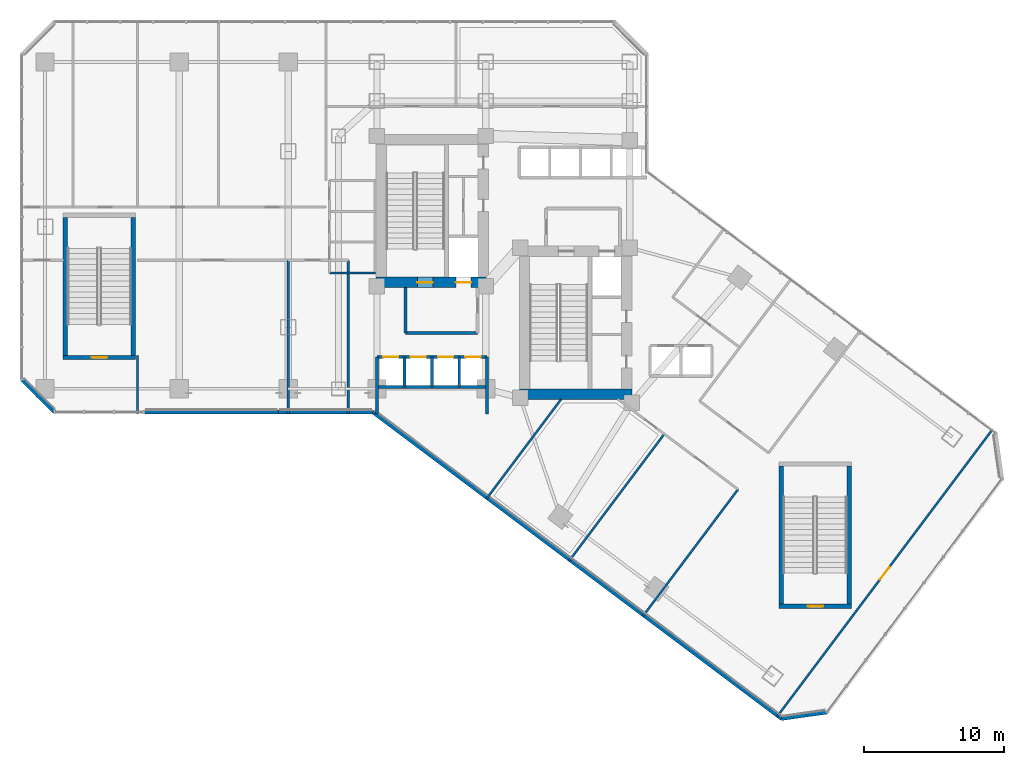
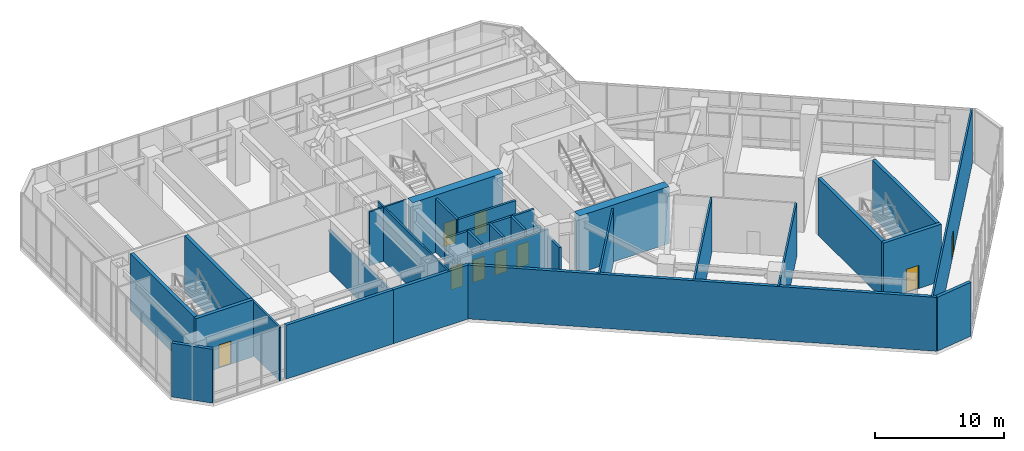
# One storey, part 27 of 35: 30 walls, 9 doors, 9 openings.
"""IFC4 building model written with IfcOpenShell, lengths in metres."""

from ifc_helpers import new_model, si_unit, direction, frame, frame_2d, origin, place, context, subcontext, project, spatial, rectangle, extrude, material, layer, layer_set, type_object, element, fill, save


model = new_model("IFC4")

# Units and contexts
model_context = context("Model", 3, precision=1e-05, world=origin(), true_north=direction((0.0, 1.0)))
body_context = subcontext(model_context, "Body", "Model", "MODEL_VIEW")
ifc_project = project(units=[si_unit("LENGTHUNIT", "METRE"), si_unit("AREAUNIT", "SQUARE_METRE"), si_unit("VOLUMEUNIT", "CUBIC_METRE"), si_unit("PLANEANGLEUNIT", "RADIAN"), si_unit("MASSUNIT", "GRAM", prefix="KILO")], contexts=[model_context])

# Site, building, storey
site_placement = place(None, origin())
site = spatial("IfcSite", under=ifc_project, at=site_placement, CompositionType="ELEMENT")
building_placement = place(site_placement, origin())
building = spatial("IfcBuilding", under=site, at=building_placement, Name="Hatsunagi Terrace Concourse", CompositionType="ELEMENT")
storey_placement = place(building_placement, frame((0.0, 0.0, 16.199951171875)))
storey = spatial("IfcBuildingStorey", under=building, at=storey_placement, Name="L04", CompositionType="ELEMENT", Elevation=16.199951171875)

# Wall, openings, doors
ifc_material_1 = material(Name="Concrete Fc60", Category="concrete")
ifc_layer_1 = layer(ifc_material_1, 0.75)
ifc_layer_set_1 = layer_set([ifc_layer_1], Name="CoreShearWall_Fc60_750")
wall_type_1 = type_object("IfcWallType", Name="CoreShearWall_Fc60_750", PredefinedType="SHEAR", material=ifc_layer_set_1)
wall_1_placement = place(storey_placement, frame((25.469970703125, 32.81494140625, 0.0), z_axis=(0.0, 0.0, 1.0), x_axis=(1.0, 0.0, 0.0)))
wall_1 = element("IfcWall", 1, at=wall_1_placement, inside=storey, type_object=wall_type_1, Name="Core A Shear Wall S L04", PredefinedType="SHEAR", context=body_context, shape_type="SweptSolid", body=[
    extrude(rectangle(XDim=8.080078125, YDim=0.75, at=frame_2d((4.0400390625, 0.0))), origin(), (0.0, 0.0, 1.0), 5.400146484375),
])
opening_1_placement = place(wall_1_placement, frame((2.97998046875, 0.0, 0.0)))
opening_1 = element("IfcOpeningElement", 2, at=opening_1_placement, cuts=wall_1, Name="Opening DR-110S", PredefinedType="OPENING", context=body_context, shape_type="SweptSolid", body=[
    extrude(rectangle(XDim=1.10009765625, YDim=2.199951171875, at=frame_2d((0.550048828125, 1.10009765625))), frame((0.0, 0.385009765625, 0.0), z_axis=(0.0, -1.0, 0.0), x_axis=(1.0, 0.0, 0.0)), (0.0, 0.0, 1.0), 0.77001953125),
])
opening_2_placement = place(wall_1_placement, frame((5.72998046875, 0.0, 0.0)))
opening_2 = element("IfcOpeningElement", 3, at=opening_2_placement, cuts=wall_1, Name="Opening LD-01", PredefinedType="OPENING", context=body_context, shape_type="SweptSolid", body=[
    extrude(rectangle(XDim=1.10009765625, YDim=2.14990234375, at=frame_2d((0.550048828125, 1.074951171875))), frame((0.0, 0.385009765625, 0.0), z_axis=(0.0, -1.0, 0.0), x_axis=(1.0, 0.0, 0.0)), (0.0, 0.0, 1.0), 0.77001953125),
])
ifc_material_2 = material(Name="Stainless steel", Category="steel")
door_type_1 = type_object("IfcDoorType", Name="LiftLandingDoor_LD01", OperationType="SLIDING_TO_LEFT", PredefinedType="USERDEFINED", material=ifc_material_2)
door_1_placement = place(opening_2_placement, origin())
door_1 = element("IfcDoor", 4, at=door_1_placement, inside=storey, type_object=door_type_1, Name="Lift landing door FF-01 L04", ObjectType="SLIDING_LANDING_DOOR", OperationType="SLIDING_TO_LEFT", OverallHeight=2.14990234375, OverallWidth=1.10009765625, PredefinedType="USERDEFINED", context=body_context, shape_type="SweptSolid", body=[
    extrude(rectangle(XDim=1.10009765625, YDim=2.14990234375, at=frame_2d((0.550048828125, 1.074951171875))), frame((0.0, 0.02490234375, 0.0), z_axis=(0.0, -1.0, 0.0), x_axis=(1.0, 0.0, 0.0)), (0.0, 0.0, 1.0), 0.050048828125),
])
fill(opening_2, door_1)
ifc_material_3 = material(Name="Painted steel", Category="steel")
door_type_2 = type_object("IfcDoorType", Name="StairFireDoor_EI60_1100", OperationType="NOTDEFINED", PredefinedType="DOOR", material=ifc_material_3)
door_2_placement = place(opening_1_placement, origin())
door_2 = element("IfcDoor", 5, at=door_2_placement, inside=storey, type_object=door_type_2, Name="Stair ST-A Exit Door L04", OperationType="SINGLE_SWING_LEFT", OverallHeight=2.199951171875, OverallWidth=1.10009765625, PredefinedType="DOOR", context=body_context, shape_type="SweptSolid", body=[
    extrude(rectangle(XDim=1.10009765625, YDim=2.199951171875, at=frame_2d((0.550048828125, 1.10009765625))), frame((0.0, 0.02490234375, 0.0), z_axis=(0.0, -1.0, 0.0), x_axis=(1.0, 0.0, 0.0)), (0.0, 0.0, 1.0), 0.050048828125),
])
fill(opening_1, door_2)

# Wall
wall_2_placement = place(storey_placement, frame((35.739990234375, 24.81494140625, 0.0), z_axis=(0.0, 0.0, 1.0), x_axis=(1.0, 0.0, 0.0)))
element("IfcWall", 6, at=wall_2_placement, inside=storey, type_object=wall_type_1, Name="Core B Shear Wall S L04", PredefinedType="SHEAR", context=body_context, shape_type="SweptSolid", body=[
    extrude(rectangle(XDim=8.06005859375, YDim=0.75, at=frame_2d((4.030029296875, 0.0))), origin(), (0.0, 0.0, 1.0), 5.400146484375),
])

# Wall, opening, door
ifc_material_4 = material(Name="Concrete Fc48", Category="concrete")
ifc_layer_2 = layer(ifc_material_4, 0.300048828125)
ifc_layer_set_2 = layer_set([ifc_layer_2], Name="CoreStairDivider_Fc48_300")
wall_type_2 = type_object("IfcWallType", Name="CoreStairDivider_Fc48_300", PredefinedType="SHEAR", material=ifc_layer_set_2)
wall_3_placement = place(storey_placement, frame((3.090087890625, 27.43994140625, 0.0), z_axis=(0.0, 0.0, 1.0), x_axis=(1.0, 0.0, 0.0)))
wall_3 = element("IfcWall", 7, at=wall_3_placement, inside=storey, type_object=wall_type_2, Name="Podium Stair P1 Shear Wall S L04", PredefinedType="SHEAR", context=body_context, shape_type="SweptSolid", body=[
    extrude(rectangle(XDim=5.169921875, YDim=0.300048828125, at=frame_2d((2.5849609375, 0.0))), origin(), (0.0, 0.0, 1.0), 5.400146484375),
])
opening_3_placement = place(wall_3_placement, frame((2.06005859375, 0.0, 0.0)))
opening_3 = element("IfcOpeningElement", 8, at=opening_3_placement, cuts=wall_3, Name="Opening DR-110S", PredefinedType="OPENING", context=body_context, shape_type="SweptSolid", body=[
    extrude(rectangle(XDim=1.10009765625, YDim=2.199951171875, at=frame_2d((0.550048828125, 1.10009765625))), frame((0.0, 0.159912109375, 0.0), z_axis=(0.0, -1.0, 0.0), x_axis=(1.0, 0.0, 0.0)), (0.0, 0.0, 1.0), 0.320068359375),
])
door_3_placement = place(opening_3_placement, origin())
door_3 = element("IfcDoor", 9, at=door_3_placement, inside=storey, type_object=door_type_2, Name="Stair ST-P1 Exit Door L04", OperationType="SINGLE_SWING_LEFT", OverallHeight=2.199951171875, OverallWidth=1.10009765625, PredefinedType="DOOR", context=body_context, shape_type="SweptSolid", body=[
    extrude(rectangle(XDim=1.10009765625, YDim=2.199951171875, at=frame_2d((0.550048828125, 1.10009765625))), frame((0.0, 0.02490234375, 0.0), z_axis=(0.0, -1.0, 0.0), x_axis=(1.0, 0.0, 0.0)), (0.0, 0.0, 1.0), 0.050048828125),
])
fill(opening_3, door_3)

# Walls
for number, where, z_axis, x_axis, name in (
    (10, (3.239990234375, 27.590087890625, 0.0), (0.0, 0.0, 1.0), (0.0, 1.0, 0.0), "Podium Stair P1 Shear Wall W L04"),
    (11, (8.110107421875, 27.590087890625, 0.0), (0.0, 0.0, 1.0), (0.0, 1.0, 0.0), "Podium Stair P1 Shear Wall E L04"),
):
    element("IfcWall", number, at=place(storey_placement, frame(where, z_axis=z_axis, x_axis=x_axis)), inside=storey, type_object=wall_type_2, Name=name, PredefinedType="SHEAR", context=body_context, shape_type="SweptSolid", body=[
        extrude(rectangle(XDim=9.8798828125, YDim=0.300048828125, at=frame_2d((4.93994140625, 0.0))), origin(), (0.0, 0.0, 1.0), 5.400146484375),
    ])

# Wall, opening, door
wall_4_placement = place(storey_placement, frame((54.340087890625, 9.639892578125, 0.0), z_axis=(0.0, 0.0, 1.0), x_axis=(1.0, 0.0, 0.0)))
wall_4 = element("IfcWall", 12, at=wall_4_placement, inside=storey, type_object=wall_type_2, Name="Podium Stair P2 Shear Wall S L04", PredefinedType="SHEAR", context=body_context, shape_type="SweptSolid", body=[
    extrude(rectangle(XDim=5.169921875, YDim=0.300048828125, at=frame_2d((2.5849609375, 0.0))), origin(), (0.0, 0.0, 1.0), 5.400146484375),
])
opening_4_placement = place(wall_4_placement, frame((2.06005859375, 0.0, 0.0)))
opening_4 = element("IfcOpeningElement", 13, at=opening_4_placement, cuts=wall_4, Name="Opening DR-110S", PredefinedType="OPENING", context=body_context, shape_type="SweptSolid", body=[
    extrude(rectangle(XDim=1.10009765625, YDim=2.199951171875, at=frame_2d((0.550048828125, 1.10009765625))), frame((0.0, 0.159912109375, 0.0), z_axis=(0.0, -1.0, 0.0), x_axis=(1.0, 0.0, 0.0)), (0.0, 0.0, 1.0), 0.320068359375),
])
door_4_placement = place(opening_4_placement, origin())
door_4 = element("IfcDoor", 14, at=door_4_placement, inside=storey, type_object=door_type_2, Name="Stair ST-P2 Exit Door L04", OperationType="SINGLE_SWING_RIGHT", OverallHeight=2.199951171875, OverallWidth=1.10009765625, PredefinedType="DOOR", context=body_context, shape_type="SweptSolid", body=[
    extrude(rectangle(XDim=1.10009765625, YDim=2.199951171875, at=frame_2d((0.550048828125, 1.10009765625))), frame((0.0, 0.02490234375, 0.0), z_axis=(0.0, -1.0, 0.0), x_axis=(1.0, 0.0, 0.0)), (0.0, 0.0, 1.0), 0.050048828125),
])
fill(opening_4, door_4)

# Walls
for number, where, z_axis, x_axis, name in (
    (15, (54.489990234375, 9.7900390625, 0.0), (0.0, 0.0, 1.0), (0.0, 1.0, 0.0), "Podium Stair P2 Shear Wall W L04"),
    (16, (59.360107421875, 9.7900390625, 0.0), (0.0, 0.0, 1.0), (0.0, 1.0, 0.0), "Podium Stair P2 Shear Wall E L04"),
):
    element("IfcWall", number, at=place(storey_placement, frame(where, z_axis=z_axis, x_axis=x_axis)), inside=storey, type_object=wall_type_2, Name=name, PredefinedType="SHEAR", context=body_context, shape_type="SweptSolid", body=[
        extrude(rectangle(XDim=9.8798828125, YDim=0.300048828125, at=frame_2d((4.93994140625, 0.0))), origin(), (0.0, 0.0, 1.0), 5.400146484375),
    ])
ifc_material_5 = material(Name="Acoustic mineral board", Category="gypsum")
ifc_layer_3 = layer(ifc_material_5, 0.14990234375)
ifc_layer_set_3 = layer_set([ifc_layer_3], Name="PartitionWall_EI60_150")
wall_type_3 = type_object("IfcWallType", Name="PartitionWall_EI60_150", PredefinedType="PARTITIONING", material=ifc_layer_set_3)
wall_5_placement = place(storey_placement, frame((22.14990234375, 33.5, 0.0), z_axis=(0.0, 0.0, 1.0), x_axis=(1.0, 0.0, 0.0)))
element("IfcWall", 17, at=wall_5_placement, inside=storey, type_object=wall_type_3, Name="Interior Partition IW-L04-030", PredefinedType="PARTITIONING", context=body_context, shape_type="SweptSolid", body=[
    extrude(rectangle(XDim=3.300048828125, YDim=0.14990234375, at=frame_2d((1.64990234375, 0.0))), origin(), (0.0, 0.0, 1.0), 5.10009765625),
])
wall_6_placement = place(storey_placement, frame((8.39990234375, 23.43994140625, 0.0), z_axis=(0.0, 0.0, 1.0), x_axis=(0.0, 1.0, 0.0)))
element("IfcWall", 18, at=wall_6_placement, inside=storey, type_object=wall_type_3, Name="Interior Partition IW-L04-047", PredefinedType="PARTITIONING", context=body_context, shape_type="SweptSolid", body=[
    extrude(rectangle(XDim=4.150146484375, YDim=0.14990234375, at=frame_2d((2.0751953125, 0.0))), origin(), (0.0, 0.0, 1.0), 5.10009765625),
])
wall_7_placement = place(storey_placement, frame((19.199951171875, 23.43994140625, 0.0), z_axis=(0.0, 0.0, 1.0), x_axis=(0.0, 1.0, 0.0)))
element("IfcWall", 19, at=wall_7_placement, inside=storey, type_object=wall_type_3, Name="Interior Partition IW-L04-049", PredefinedType="PARTITIONING", context=body_context, shape_type="SweptSolid", body=[
    extrude(rectangle(XDim=10.9599609375, YDim=0.14990234375, at=frame_2d((5.47998046875, 0.0))), origin(), (0.0, 0.0, 1.0), 3.89501953125),
])
wall_8_placement = place(storey_placement, frame((23.5, 23.43994140625, 0.0), z_axis=(0.0, 0.0, 1.0), x_axis=(0.0, 1.0, 0.0)))
element("IfcWall", 20, at=wall_8_placement, inside=storey, type_object=wall_type_3, Name="Interior Partition IW-L04-051", PredefinedType="PARTITIONING", context=body_context, shape_type="SweptSolid", body=[
    extrude(rectangle(XDim=10.9599609375, YDim=0.14990234375, at=frame_2d((5.47998046875, 0.0))), origin(), (0.0, 0.0, 1.0), 5.10009765625),
])
wall_9_placement = place(storey_placement, frame((39.303955078125, 12.8720703125, 0.0), z_axis=(0.0, 0.0, 1.0), x_axis=(0.600013754301, 0.79998968409, 0.0)))
element("IfcWall", 21, at=wall_9_placement, inside=storey, type_object=wall_type_3, Name="Interior Partition IW-L04-059", PredefinedType="PARTITIONING", context=body_context, shape_type="SweptSolid", body=[
    extrude(rectangle(XDim=11.360107421875, YDim=0.14990234375, at=frame_2d((5.68017578125, 0.0))), origin(), (0.0, 0.0, 1.0), 5.10009765625),
])
wall_10_placement = place(storey_placement, frame((44.583984375, 8.912109375, 0.0), z_axis=(0.0, 0.0, 1.0), x_axis=(0.6, 0.8, 0.0)))
element("IfcWall", 22, at=wall_10_placement, inside=storey, type_object=wall_type_3, Name="Interior Partition IW-L04-060", PredefinedType="PARTITIONING", context=body_context, shape_type="SweptSolid", body=[
    extrude(rectangle(XDim=11.35986328125, YDim=0.14990234375, at=frame_2d((5.679931640625, 0.0))), origin(), (0.0, 0.0, 1.0), 5.10009765625),
])

# Wall, opening, door
wall_11_placement = place(storey_placement, frame((54.18408203125, 1.7119140625, 0.0), z_axis=(0.0, 0.0, 1.0), x_axis=(0.59999392496, 0.800004556244, 0.0)))
wall_11 = element("IfcWall", 23, at=wall_11_placement, inside=storey, type_object=wall_type_3, Name="Interior Partition IW-L04-061", PredefinedType="PARTITIONING", context=body_context, shape_type="SweptSolid", body=[
    extrude(rectangle(XDim=25.719970703125, YDim=0.14990234375, at=frame_2d((12.85986328125, 0.0))), origin(), (0.0, 0.0, 1.0), 5.10009765625),
])
opening_5_placement = place(wall_11_placement, frame((12.31005859375, 0.0, 0.0)))
opening_5 = element("IfcOpeningElement", 24, at=opening_5_placement, cuts=wall_11, Name="Opening DR-110F", PredefinedType="OPENING", context=body_context, shape_type="SweptSolid", body=[
    extrude(rectangle(XDim=1.10009765625, YDim=2.239990234375, at=frame_2d((0.550048828125, 1.1201171875))), frame((0.0, 0.0849609375, 0.0), z_axis=(0.0, -1.0, 0.0), x_axis=(1.0, 0.0, 0.0)), (0.0, 0.0, 1.0), 0.169921875),
])
ifc_material_6 = material(Name="Painted steel", Category="steel")
door_type_3 = type_object("IfcDoorType", Name="FireDoor_EI60_1100", OperationType="NOTDEFINED", PredefinedType="DOOR", material=ifc_material_6)
door_5_placement = place(opening_5_placement, origin())
door_5 = element("IfcDoor", 25, at=door_5_placement, inside=storey, type_object=door_type_3, Name="Catering Pantry L04-P4TIP Door", OperationType="SINGLE_SWING_RIGHT", OverallHeight=2.239990234375, OverallWidth=1.10009765625, PredefinedType="DOOR", context=body_context, shape_type="SweptSolid", body=[
    extrude(rectangle(XDim=1.10009765625, YDim=2.239990234375, at=frame_2d((0.550048828125, 1.1201171875))), frame((0.0, 0.02490234375, 0.0), z_axis=(0.0, -1.0, 0.0), x_axis=(1.0, 0.0, 0.0)), (0.0, 0.0, 1.0), 0.050048828125),
])
fill(opening_5, door_5)

# Walls
wall_12_placement = place(storey_placement, frame((33.384033203125, 17.31201171875, 0.0), z_axis=(0.0, 0.0, 1.0), x_axis=(0.600008743659, 0.799993442181, 0.0)))
element("IfcWall", 26, at=wall_12_placement, inside=storey, type_object=wall_type_3, Name="Interior Partition IW-L04-065", PredefinedType="PARTITIONING", context=body_context, shape_type="SweptSolid", body=[
    extrude(rectangle(XDim=8.93505859375, YDim=0.14990234375, at=frame_2d((4.467529296875, 0.0))), origin(), (0.0, 0.0, 1.0), 5.10009765625),
])
ifc_material_7 = material(Name="Acoustic mineral board", Category="gypsum")
ifc_layer_4 = layer(ifc_material_7, 0.199951171875)
ifc_layer_set_4 = layer_set([ifc_layer_4], Name="ShaftWall_EI120_200")
wall_type_4 = type_object("IfcWallType", Name="ShaftWall_EI120_200", PredefinedType="STANDARD", material=ifc_layer_set_4)
wall_13_placement = place(storey_placement, frame((27.60009765625, 29.199951171875, 0.0), z_axis=(0.0, 0.0, 1.0), x_axis=(1.0, 0.0, 0.0)))
element("IfcWall", 27, at=wall_13_placement, inside=storey, type_object=wall_type_4, Name="Interior Partition IW-L04-006", PredefinedType="STANDARD", context=body_context, shape_type="SweptSolid", body=[
    extrude(rectangle(XDim=5.14990234375, YDim=0.199951171875, at=frame_2d((2.574951171875, 0.0))), origin(), (0.0, 0.0, 1.0), 5.10009765625),
])
wall_14_placement = place(storey_placement, frame((27.60009765625, 29.199951171875, 0.0), z_axis=(0.0, 0.0, 1.0), x_axis=(0.0, 1.0, 0.0)))
element("IfcWall", 28, at=wall_14_placement, inside=storey, type_object=wall_type_4, Name="Interior Partition IW-L04-007", PredefinedType="STANDARD", context=body_context, shape_type="SweptSolid", body=[
    extrude(rectangle(XDim=3.239990234375, YDim=0.199951171875, at=frame_2d((1.6201171875, 0.0))), origin(), (0.0, 0.0, 1.0), 5.10009765625),
])
for number, where, z_axis, x_axis, name in (
    (29, (25.550048828125, 23.39990234375, 0.0), (0.0, 0.0, 1.0), (0.0, 1.0, 0.0), "Interior Partition IW-L04-012"),
    (30, (33.429931640625, 23.39990234375, 0.0), (0.0, 0.0, 1.0), (0.0, 1.0, 0.0), "Interior Partition IW-L04-013"),
):
    element("IfcWall", number, at=place(storey_placement, frame(where, z_axis=z_axis, x_axis=x_axis)), inside=storey, type_object=wall_type_4, Name=name, PredefinedType="STANDARD", context=body_context, shape_type="SweptSolid", body=[
        extrude(rectangle(XDim=4.080078125, YDim=0.199951171875, at=frame_2d((2.0400390625, 0.0))), origin(), (0.0, 0.0, 1.0), 3.89501953125),
    ])
wall_15_placement = place(storey_placement, frame((25.550048828125, 25.320068359375, 0.0), z_axis=(0.0, 0.0, 1.0), x_axis=(1.0, 0.0, 0.0)))
element("IfcWall", 31, at=wall_15_placement, inside=storey, type_object=wall_type_4, Name="Interior Partition IW-L04-014", PredefinedType="STANDARD", context=body_context, shape_type="SweptSolid", body=[
    extrude(rectangle(XDim=7.8798828125, YDim=0.199951171875, at=frame_2d((3.93994140625, 0.0))), origin(), (0.0, 0.0, 1.0), 4.4951171875),
])
for number, where, z_axis, x_axis, name in (
    (32, (27.530029296875, 25.320068359375, 0.0), (0.0, 0.0, 1.0), (0.0, 1.0, 0.0), "Interior Partition IW-L04-015"),
    (33, (29.489990234375, 25.320068359375, 0.0), (0.0, 0.0, 1.0), (0.0, 1.0, 0.0), "Interior Partition IW-L04-016"),
    (34, (31.449951171875, 25.320068359375, 0.0), (0.0, 0.0, 1.0), (0.0, 1.0, 0.0), "Interior Partition IW-L04-017"),
):
    element("IfcWall", number, at=place(storey_placement, frame(where, z_axis=z_axis, x_axis=x_axis)), inside=storey, type_object=wall_type_4, Name=name, PredefinedType="STANDARD", context=body_context, shape_type="SweptSolid", body=[
        extrude(rectangle(XDim=2.159912109375, YDim=0.199951171875, at=frame_2d((1.080078125, 0.0))), origin(), (0.0, 0.0, 1.0), 5.10009765625),
    ])

# Wall, openings, doors
wall_16_placement = place(storey_placement, frame((25.550048828125, 27.47998046875, 0.0), z_axis=(0.0, 0.0, 1.0), x_axis=(1.0, 0.0, 0.0)))
wall_16 = element("IfcWall", 35, at=wall_16_placement, inside=storey, type_object=wall_type_4, Name="Interior Partition IW-L04-018", PredefinedType="STANDARD", context=body_context, shape_type="SweptSolid", body=[
    extrude(rectangle(XDim=7.8798828125, YDim=0.199951171875, at=frame_2d((3.93994140625, 0.0))), origin(), (0.0, 0.0, 1.0), 5.10009765625),
])
opening_6_placement = place(wall_16_placement, frame((0.4599609375, 0.0, 0.0)))
opening_6 = element("IfcOpeningElement", 36, at=opening_6_placement, cuts=wall_16, Name="Opening LD-03", PredefinedType="OPENING", context=body_context, shape_type="SweptSolid", body=[
    extrude(rectangle(XDim=1.080078125, YDim=2.14990234375, at=frame_2d((0.5400390625, 1.074951171875))), frame((0.0, 0.10986328125, 0.0), z_axis=(0.0, -1.0, 0.0), x_axis=(1.0, 0.0, 0.0)), (0.0, 0.0, 1.0), 0.219970703125),
])
opening_7_placement = place(wall_16_placement, frame((2.419921875, 0.0, 0.0)))
opening_7 = element("IfcOpeningElement", 37, at=opening_7_placement, cuts=wall_16, Name="Opening LD-03", PredefinedType="OPENING", context=body_context, shape_type="SweptSolid", body=[
    extrude(rectangle(XDim=1.080078125, YDim=2.14990234375, at=frame_2d((0.5400390625, 1.074951171875))), frame((0.0, 0.10986328125, 0.0), z_axis=(0.0, -1.0, 0.0), x_axis=(1.0, 0.0, 0.0)), (0.0, 0.0, 1.0), 0.219970703125),
])
opening_8_placement = place(wall_16_placement, frame((4.3798828125, 0.0, 0.0)))
opening_8 = element("IfcOpeningElement", 38, at=opening_8_placement, cuts=wall_16, Name="Opening LD-03", PredefinedType="OPENING", context=body_context, shape_type="SweptSolid", body=[
    extrude(rectangle(XDim=1.080078125, YDim=2.14990234375, at=frame_2d((0.5400390625, 1.074951171875))), frame((0.0, 0.10986328125, 0.0), z_axis=(0.0, -1.0, 0.0), x_axis=(1.0, 0.0, 0.0)), (0.0, 0.0, 1.0), 0.219970703125),
])
opening_9_placement = place(wall_16_placement, frame((6.340087890625, 0.0, 0.0)))
opening_9 = element("IfcOpeningElement", 39, at=opening_9_placement, cuts=wall_16, Name="Opening LD-03", PredefinedType="OPENING", context=body_context, shape_type="SweptSolid", body=[
    extrude(rectangle(XDim=1.080078125, YDim=2.14990234375, at=frame_2d((0.5400390625, 1.074951171875))), frame((0.0, 0.10986328125, 0.0), z_axis=(0.0, -1.0, 0.0), x_axis=(1.0, 0.0, 0.0)), (0.0, 0.0, 1.0), 0.219970703125),
])
ifc_material_8 = material(Name="Stainless steel", Category="steel")
door_type_4 = type_object("IfcDoorType", Name="LiftLandingDoor_LD03", OperationType="SLIDING_TO_LEFT", PredefinedType="USERDEFINED", material=ifc_material_8)
door_6_placement = place(opening_6_placement, origin())
door_6 = element("IfcDoor", 40, at=door_6_placement, inside=storey, type_object=door_type_4, Name="Lift landing door PL-01 L04", ObjectType="SLIDING_LANDING_DOOR", OperationType="SLIDING_TO_LEFT", OverallHeight=2.14990234375, OverallWidth=1.080078125, PredefinedType="USERDEFINED", context=body_context, shape_type="SweptSolid", body=[
    extrude(rectangle(XDim=1.080078125, YDim=2.14990234375, at=frame_2d((0.5400390625, 1.074951171875))), frame((0.0, 0.02490234375, 0.0), z_axis=(0.0, -1.0, 0.0), x_axis=(1.0, 0.0, 0.0)), (0.0, 0.0, 1.0), 0.050048828125),
])
fill(opening_6, door_6)
door_7_placement = place(opening_7_placement, origin())
door_7 = element("IfcDoor", 41, at=door_7_placement, inside=storey, type_object=door_type_4, Name="Lift landing door PL-02 L04", ObjectType="SLIDING_LANDING_DOOR", OperationType="SLIDING_TO_LEFT", OverallHeight=2.14990234375, OverallWidth=1.080078125, PredefinedType="USERDEFINED", context=body_context, shape_type="SweptSolid", body=[
    extrude(rectangle(XDim=1.080078125, YDim=2.14990234375, at=frame_2d((0.5400390625, 1.074951171875))), frame((0.0, 0.02490234375, 0.0), z_axis=(0.0, -1.0, 0.0), x_axis=(1.0, 0.0, 0.0)), (0.0, 0.0, 1.0), 0.050048828125),
])
fill(opening_7, door_7)
door_8_placement = place(opening_8_placement, origin())
door_8 = element("IfcDoor", 42, at=door_8_placement, inside=storey, type_object=door_type_4, Name="Lift landing door PL-03 L04", ObjectType="SLIDING_LANDING_DOOR", OperationType="SLIDING_TO_LEFT", OverallHeight=2.14990234375, OverallWidth=1.080078125, PredefinedType="USERDEFINED", context=body_context, shape_type="SweptSolid", body=[
    extrude(rectangle(XDim=1.080078125, YDim=2.14990234375, at=frame_2d((0.5400390625, 1.074951171875))), frame((0.0, 0.02490234375, 0.0), z_axis=(0.0, -1.0, 0.0), x_axis=(1.0, 0.0, 0.0)), (0.0, 0.0, 1.0), 0.050048828125),
])
fill(opening_8, door_8)
door_9_placement = place(opening_9_placement, origin())
door_9 = element("IfcDoor", 43, at=door_9_placement, inside=storey, type_object=door_type_4, Name="Lift landing door PL-04 L04", ObjectType="SLIDING_LANDING_DOOR", OperationType="SLIDING_TO_LEFT", OverallHeight=2.14990234375, OverallWidth=1.080078125, PredefinedType="USERDEFINED", context=body_context, shape_type="SweptSolid", body=[
    extrude(rectangle(XDim=1.080078125, YDim=2.14990234375, at=frame_2d((0.5400390625, 1.074951171875))), frame((0.0, 0.02490234375, 0.0), z_axis=(0.0, -1.0, 0.0), x_axis=(1.0, 0.0, 0.0)), (0.0, 0.0, 1.0), 0.050048828125),
])
fill(opening_9, door_9)

# Walls
ifc_material_9 = material(Name="Autoclaved Lightweight Concrete and Terracotta Cladding", Category="masonry")
ifc_layer_5 = layer(ifc_material_9, 0.280029296875)
ifc_layer_set_5 = layer_set([ifc_layer_5], Name="TerracottaSpandrelWall_280")
wall_type_5 = type_object("IfcWallType", Name="TerracottaSpandrelWall_280", PredefinedType="STANDARD", material=ifc_layer_set_5)
wall_17_placement = place(storey_placement, frame((57.762939453125, 2.050048828125, 0.0), z_axis=(0.0, 0.0, 1.0), x_axis=(-0.989967361922, -0.141296221922, 0.0)))
element("IfcWall", 44, at=wall_17_placement, inside=storey, type_object=wall_type_5, Name="Exterior Spandrel Wall EW-L04-04", PredefinedType="STANDARD", context=body_context, shape_type="SweptSolid", body=[
    extrude(rectangle(XDim=3.27783203125, YDim=0.280029296875, at=frame_2d((1.638916015625, 0.0))), origin(), (0.0, 0.0, 1.0), 5.10009765625),
])
wall_18_placement = place(storey_placement, frame((54.51806640625, 1.5869140625, 0.0), z_axis=(0.0, 0.0, 1.0), x_axis=(-0.800001601415, 0.599997864774, 0.0)))
element("IfcWall", 45, at=wall_18_placement, inside=storey, type_object=wall_type_5, Name="Exterior Spandrel Wall EW-L04-05", PredefinedType="STANDARD", context=body_context, shape_type="SweptSolid", body=[
    extrude(rectangle(XDim=36.588623046875, YDim=0.280029296875, at=frame_2d((18.29443359375, 0.0))), origin(), (0.0, 0.0, 1.0), 5.10009765625),
])
wall_19_placement = place(storey_placement, frame((25.2470703125, 23.5400390625, 0.0), z_axis=(0.0, 0.0, 1.0), x_axis=(-1.0, 0.0, 0.0)))
element("IfcWall", 46, at=wall_19_placement, inside=storey, type_object=wall_type_5, Name="Exterior Spandrel Wall EW-L04-06", PredefinedType="STANDARD", context=body_context, shape_type="SweptSolid", body=[
    extrude(rectangle(XDim=6.7470703125, YDim=0.280029296875, at=frame_2d((3.37353515625, 0.0))), origin(), (0.0, 0.0, 1.0), 5.10009765625),
])
wall_20_placement = place(storey_placement, frame((18.5, 23.5400390625, 0.0), z_axis=(0.0, 0.0, 1.0), x_axis=(-1.0, 0.0, 0.0)))
element("IfcWall", 47, at=wall_20_placement, inside=storey, type_object=wall_type_5, Name="Exterior Spandrel Wall EW-L04-07", PredefinedType="STANDARD", context=body_context, shape_type="SweptSolid", body=[
    extrude(rectangle(XDim=9.60009765625, YDim=0.280029296875, at=frame_2d((4.800048828125, 0.0))), origin(), (0.0, 0.0, 1.0), 5.10009765625),
])
wall_21_placement = place(storey_placement, frame((2.4580078125, 23.5400390625, 0.0), z_axis=(0.0, 0.0, 1.0), x_axis=(-0.707144017911, 0.707069542501, 0.0)))
element("IfcWall", 48, at=wall_21_placement, inside=storey, type_object=wall_type_5, Name="Exterior Spandrel Wall EW-L04-09", PredefinedType="STANDARD", context=body_context, shape_type="SweptSolid", body=[
    extrude(rectangle(XDim=3.278076171875, YDim=0.280029296875, at=frame_2d((1.63916015625, 0.0))), origin(), (0.0, 0.0, 1.0), 5.10009765625),
])

save(model, "model.ifc")
